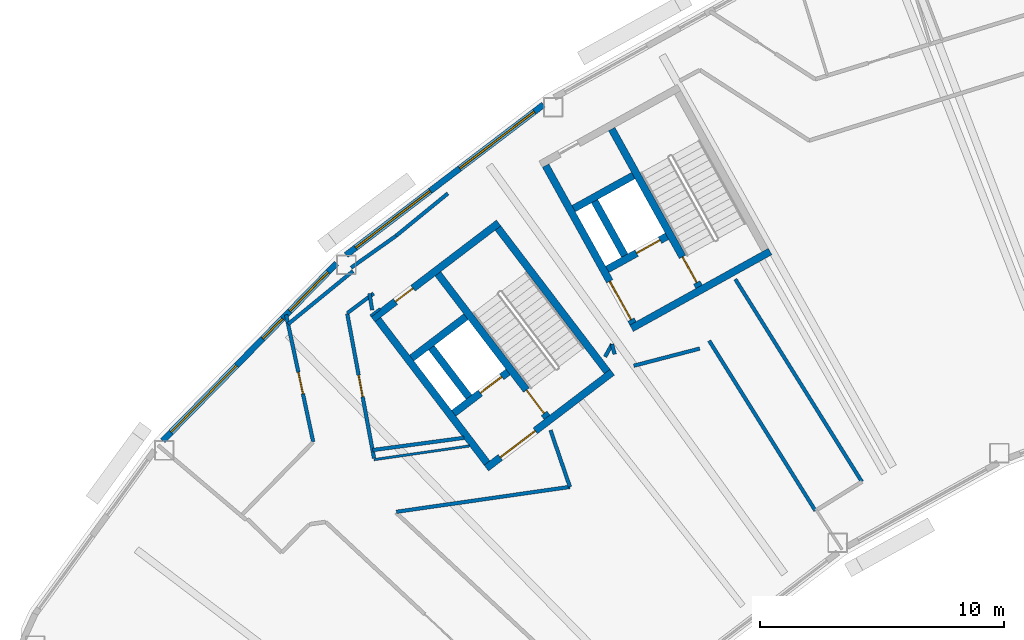
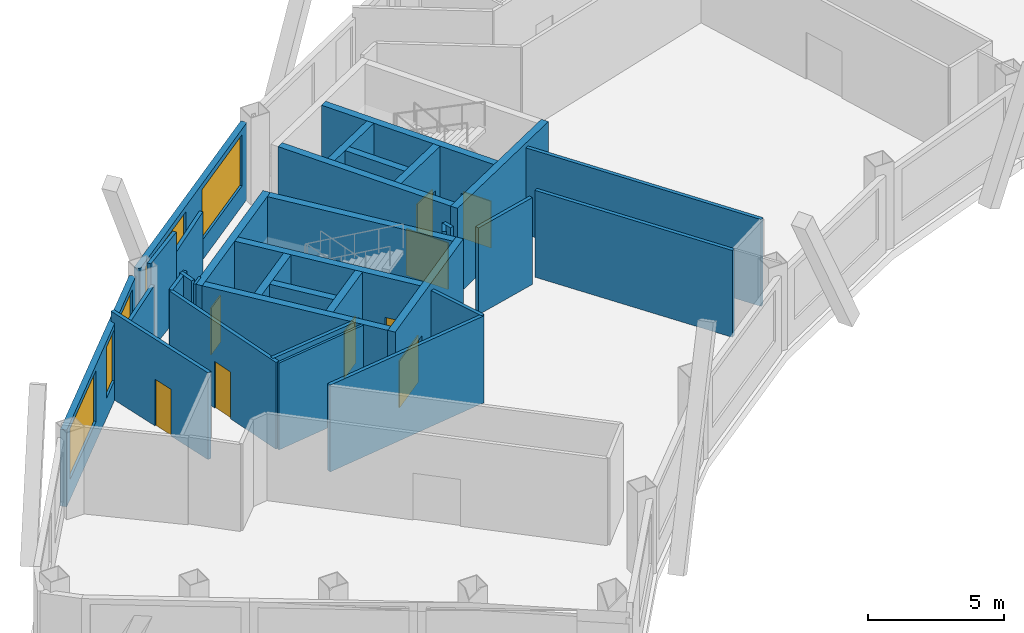
# One storey, part 5 of 13: 33 walls, 9 doors, 5 windows, 14 openings.
"""IFC4 building model written with IfcOpenShell, lengths in metres."""

from ifc_helpers import new_model, si_unit, direction, frame, frame_2d, origin, place, context, subcontext, project, spatial, rectangle, extrude, material, layer, layer_set, type_object, element, fill, save


model = new_model("IFC4")

# Units and contexts
model_context = context("Model", 3, precision=1e-05, world=origin(), true_north=direction((0.0, 1.0)))
body_context = subcontext(model_context, "Body", "Model", "MODEL_VIEW")
ifc_project = project(units=[si_unit("LENGTHUNIT", "METRE"), si_unit("AREAUNIT", "SQUARE_METRE"), si_unit("VOLUMEUNIT", "CUBIC_METRE"), si_unit("PLANEANGLEUNIT", "RADIAN"), si_unit("MASSUNIT", "GRAM", prefix="KILO")], contexts=[model_context])

# Site, building, storey
site_placement = place(None, origin())
site = spatial("IfcSite", under=ifc_project, at=site_placement, CompositionType="ELEMENT")
building_placement = place(site_placement, origin())
building = spatial("IfcBuilding", under=site, at=building_placement, Name="Tuul Gate Civic Tower", CompositionType="ELEMENT")
storey_placement = place(building_placement, frame((0.0, 0.0, 285.800048828125)))
storey = spatial("IfcBuildingStorey", under=building, at=storey_placement, Name="Level 64", CompositionType="ELEMENT", Elevation=285.800048828125)

# Wall, opening, door
ifc_material_1 = material(Name="Concrete C50/60", Category="concrete")
ifc_layer_1 = layer(ifc_material_1, 0.300048828125)
ifc_layer_set_1 = layer_set([ifc_layer_1], Name="Concrete C50/60")
wall_type_1 = type_object("IfcWallType", Name="Core wall C50/60", PredefinedType="SHEAR", material=ifc_layer_set_1)
wall_1_placement = place(storey_placement, frame((-31.19091796875, -13.669677734375, 0.0), z_axis=(0.0, 0.0, 1.0), x_axis=(-0.795606717756, -0.605813461934, 0.0)))
wall_1 = element("IfcWall", 1, at=wall_1_placement, inside=storey, type_object=wall_type_1, Name="Core wall", PredefinedType="SHEAR", context=body_context, shape_type="SweptSolid", body=[
    extrude(rectangle(XDim=6.5, YDim=0.300048828125, at=frame_2d((3.25, 0.0))), origin(), (0.0, 0.0, 1.0), 3.89990234375),
])
opening_1_placement = place(wall_1_placement, frame((3.97509765625, 0.0, 0.0)))
opening_1 = element("IfcOpeningElement", 2, at=opening_1_placement, cuts=wall_1, Name="Opening LB-W1-LOBBY-1", PredefinedType="OPENING", context=body_context, shape_type="SweptSolid", body=[
    extrude(rectangle(XDim=1.800048828125, YDim=2.10009765625, at=frame_2d((0.89990234375, 1.050048828125))), frame((0.0, 0.16015625, 0.0), z_axis=(0.0, -1.0, 0.0), x_axis=(1.0, 0.0, 0.0)), (0.0, 0.0, 1.0), 0.320068359375),
])
ifc_material_2 = material(Name="Steel", Category="steel")
door_type_1 = type_object("IfcDoorType", Name="Lobby door", OperationType="DOUBLE_DOOR_SINGLE_SWING", PredefinedType="DOOR", material=ifc_material_2)
door_1_placement = place(opening_1_placement, origin())
door_1 = element("IfcDoor", 3, at=door_1_placement, inside=storey, type_object=door_type_1, Name="Lobby door W1-LOBBY", OperationType="DOUBLE_DOOR_SINGLE_SWING", OverallHeight=2.10009765625, OverallWidth=1.800048828125, PredefinedType="DOOR", context=body_context, shape_type="SweptSolid", body=[
    extrude(rectangle(XDim=1.800048828125, YDim=2.10009765625, at=frame_2d((0.89990234375, 1.050048828125))), frame((0.0, 0.02490234375, 0.0), z_axis=(0.0, -1.0, 0.0), x_axis=(1.0, 0.0, 0.0)), (0.0, 0.0, 1.0), 0.050048828125),
])
fill(opening_1, door_1)

wall_2_placement = place(storey_placement, frame((-35.470947265625, -13.66064453125, 0.0), z_axis=(0.0, 0.0, 1.0), x_axis=(-0.795615822227, -0.605801504968, 0.0)))
wall_2 = element("IfcWall", 4, at=wall_2_placement, inside=storey, type_object=wall_type_1, Name="Core wall", PredefinedType="SHEAR", context=body_context, shape_type="SweptSolid", body=[
    extrude(rectangle(XDim=2.800048828125, YDim=0.300048828125, at=frame_2d((1.39990234375, 0.0))), origin(), (0.0, 0.0, 1.0), 3.89990234375),
])
opening_2_placement = place(wall_2_placement, frame((0.324951171875, 0.0, 0.0)))
opening_2 = element("IfcOpeningElement", 5, at=opening_2_placement, cuts=wall_2, Name="Opening LD-H1", PredefinedType="OPENING", context=body_context, shape_type="SweptSolid", body=[
    extrude(rectangle(XDim=1.10009765625, YDim=2.10009765625, at=frame_2d((0.550048828125, 1.050048828125))), frame((0.0, 0.16015625, 0.0), z_axis=(0.0, -1.0, 0.0), x_axis=(1.0, 0.0, 0.0)), (0.0, 0.0, 1.0), 0.320068359375),
])
ifc_material_3 = material(Name="Stainless steel", Category="steel")
door_type_2 = type_object("IfcDoorType", Name="Landing door", OperationType="DOUBLE_DOOR_SLIDING", PredefinedType="DOOR", material=ifc_material_3)
door_2_placement = place(opening_2_placement, origin())
door_2 = element("IfcDoor", 6, at=door_2_placement, inside=storey, type_object=door_type_2, Name="High-rise lift H1 landing door", OperationType="DOUBLE_DOOR_SLIDING", OverallHeight=2.10009765625, OverallWidth=1.10009765625, PredefinedType="DOOR", context=body_context, shape_type="SweptSolid", body=[
    extrude(rectangle(XDim=1.10009765625, YDim=2.10009765625, at=frame_2d((0.550048828125, 1.050048828125))), frame((0.0, 0.02490234375, 0.0), z_axis=(0.0, -1.0, 0.0), x_axis=(1.0, 0.0, 0.0)), (0.0, 0.0, 1.0), 0.050048828125),
])
fill(opening_2, door_2)

# Wall
wall_3_placement = place(storey_placement, frame((-37.197509765625, -11.39306640625, 0.0), z_axis=(0.0, 0.0, 1.0), x_axis=(-0.795583820278, -0.605843531707, 0.0)))
element("IfcWall", 7, at=wall_3_placement, inside=storey, type_object=wall_type_1, Name="Core wall", PredefinedType="SHEAR", context=body_context, shape_type="SweptSolid", body=[
    extrude(rectangle(XDim=2.7998046875, YDim=0.300048828125, at=frame_2d((1.39990234375, 0.0))), origin(), (0.0, 0.0, 1.0), 3.89990234375),
])

# Wall, opening, door
wall_4_placement = place(storey_placement, frame((-35.855224609375, -7.543212890625, 0.0), z_axis=(0.0, 0.0, 1.0), x_axis=(-0.79563860527, -0.605771582202, 0.0)))
wall_4 = element("IfcWall", 8, at=wall_4_placement, inside=storey, type_object=wall_type_1, Name="Core wall", PredefinedType="SHEAR", context=body_context, shape_type="SweptSolid", body=[
    extrude(rectangle(XDim=6.5, YDim=0.300048828125, at=frame_2d((3.25, 0.0))), origin(), (0.0, 0.0, 1.0), 3.89990234375),
])
opening_3_placement = place(wall_4_placement, frame((4.425048828125, 0.0, 0.0)))
opening_3 = element("IfcOpeningElement", 9, at=opening_3_placement, cuts=wall_4, Name="Opening X-D19", PredefinedType="OPENING", context=body_context, shape_type="SweptSolid", body=[
    extrude(rectangle(XDim=0.89990234375, YDim=2.10009765625, at=frame_2d((0.449951171875, 1.050048828125))), frame((0.0, 0.16015625, 0.0), z_axis=(0.0, -1.0, 0.0), x_axis=(1.0, 0.0, 0.0)), (0.0, 0.0, 1.0), 0.320068359375),
])
ifc_material_4 = material(Name="Timber door leaf", Category="wood")
door_type_3 = type_object("IfcDoorType", Name="Door D09", OperationType="NOTDEFINED", PredefinedType="DOOR", material=ifc_material_4)
door_3_placement = place(opening_3_placement, origin())
door_3 = element("IfcDoor", 10, at=door_3_placement, inside=storey, type_object=door_type_3, Name="Door X-D19", OperationType="SINGLE_SWING_LEFT", OverallHeight=2.10009765625, OverallWidth=0.89990234375, PredefinedType="DOOR", context=body_context, shape_type="SweptSolid", body=[
    extrude(rectangle(XDim=0.89990234375, YDim=2.10009765625, at=frame_2d((0.449951171875, 1.050048828125))), frame((0.0, 0.02490234375, 0.0), z_axis=(0.0, -1.0, 0.0), x_axis=(1.0, 0.0, 0.0)), (0.0, 0.0, 1.0), 0.050048828125),
])
fill(opening_3, door_3)

# Wall
wall_5_placement = place(storey_placement, frame((-31.401123046875, -13.64111328125, 0.0), z_axis=(0.0, 0.0, 1.0), x_axis=(-0.605769822278, 0.795639945213, 0.0)))
element("IfcWall", 11, at=wall_5_placement, inside=storey, type_object=wall_type_1, Name="Core wall", PredefinedType="SHEAR", context=body_context, shape_type="SweptSolid", body=[
    extrude(rectangle(XDim=7.39990234375, YDim=0.300048828125, at=frame_2d((3.699951171875, 0.0))), origin(), (0.0, 0.0, 1.0), 3.89990234375),
])

# Wall, opening, door
wall_6_placement = place(storey_placement, frame((-33.867431640625, -15.51904296875, 0.0), z_axis=(0.0, 0.0, 1.0), x_axis=(-0.605769822278, 0.795639945213, 0.0)))
wall_6 = element("IfcWall", 12, at=wall_6_placement, inside=storey, type_object=wall_type_1, Name="Core wall", PredefinedType="SHEAR", context=body_context, shape_type="SweptSolid", body=[
    extrude(rectangle(XDim=7.39990234375, YDim=0.300048828125, at=frame_2d((3.699951171875, 0.0))), origin(), (0.0, 0.0, 1.0), 3.89990234375),
])
opening_4_placement = place(wall_6_placement, frame((0.199951171875, 0.0, 0.0)))
opening_4 = element("IfcOpeningElement", 13, at=opening_4_placement, cuts=wall_6, Name="Opening SD-ST-1", PredefinedType="OPENING", context=body_context, shape_type="SweptSolid", body=[
    extrude(rectangle(XDim=1.199951171875, YDim=2.10009765625, at=frame_2d((0.60009765625, 1.050048828125))), frame((0.0, 0.16015625, 0.0), z_axis=(0.0, -1.0, 0.0), x_axis=(1.0, 0.0, 0.0)), (0.0, 0.0, 1.0), 0.320068359375),
])
ifc_material_5 = material(Name="Steel", Category="steel")
door_type_4 = type_object("IfcDoorType", Name="Stair door", OperationType="NOTDEFINED", PredefinedType="DOOR", material=ifc_material_5)
door_4_placement = place(opening_4_placement, origin())
door_4 = element("IfcDoor", 14, at=door_4_placement, inside=storey, type_object=door_type_4, Name="Stair door ST-1", OperationType="SINGLE_SWING_LEFT", OverallHeight=2.10009765625, OverallWidth=1.199951171875, PredefinedType="DOOR", context=body_context, shape_type="SweptSolid", body=[
    extrude(rectangle(XDim=1.199951171875, YDim=2.10009765625, at=frame_2d((0.60009765625, 1.050048828125))), frame((0.0, 0.02490234375, 0.0), z_axis=(0.0, -1.0, 0.0), x_axis=(1.0, 0.0, 0.0)), (0.0, 0.0, 1.0), 0.050048828125),
])
fill(opening_4, door_4)

# Walls
wall_7_placement = place(storey_placement, frame((-37.073486328125, -14.6923828125, 0.0), z_axis=(0.0, 0.0, 1.0), x_axis=(-0.605728760074, 0.79567120673, 0.0)))
element("IfcWall", 15, at=wall_7_placement, inside=storey, type_object=wall_type_1, Name="Core wall", PredefinedType="SHEAR", context=body_context, shape_type="SweptSolid", body=[
    extrude(rectangle(XDim=2.550048828125, YDim=0.300048828125, at=frame_2d((1.27490234375, 0.0))), origin(), (0.0, 0.0, 1.0), 3.89990234375),
])
wall_8_placement = place(storey_placement, frame((-36.333984375, -17.397216796875, 0.0), z_axis=(0.0, 0.0, 1.0), x_axis=(-0.605753921168, 0.795652051458, 0.0)))
element("IfcWall", 16, at=wall_8_placement, inside=storey, type_object=wall_type_1, Name="Core wall", PredefinedType="SHEAR", context=body_context, shape_type="SweptSolid", body=[
    extrude(rectangle(XDim=7.400146484375, YDim=0.300048828125, at=frame_2d((3.7001953125, 0.0))), origin(), (0.0, 0.0, 1.0), 3.89990234375),
])
wall_9_placement = place(storey_placement, frame((-24.711669921875, -8.7158203125, 0.0), z_axis=(0.0, 0.0, 1.0), x_axis=(-0.874629909008, -0.484791215132, 0.0)))
element("IfcWall", 17, at=wall_9_placement, inside=storey, type_object=wall_type_1, Name="Core wall", PredefinedType="SHEAR", context=body_context, shape_type="SweptSolid", body=[
    extrude(rectangle(XDim=6.5, YDim=0.300048828125, at=frame_2d((3.25, 0.0))), origin(), (0.0, 0.0, 1.0), 3.89990234375),
])

# Wall, opening, door
wall_10_placement = place(storey_placement, frame((-28.94580078125, -8.090087890625, 0.0), z_axis=(0.0, 0.0, 1.0), x_axis=(-0.874629840737, -0.484791338301, 0.0)))
wall_10 = element("IfcWall", 18, at=wall_10_placement, inside=storey, type_object=wall_type_1, Name="Core wall", PredefinedType="SHEAR", context=body_context, shape_type="SweptSolid", body=[
    extrude(rectangle(XDim=2.800048828125, YDim=0.300048828125, at=frame_2d((1.39990234375, 0.0))), origin(), (0.0, 0.0, 1.0), 3.89990234375),
])
opening_5_placement = place(wall_10_placement, frame((0.324951171875, 0.0, 0.0)))
opening_5 = element("IfcOpeningElement", 19, at=opening_5_placement, cuts=wall_10, Name="Opening LD-FF-1", PredefinedType="OPENING", context=body_context, shape_type="SweptSolid", body=[
    extrude(rectangle(XDim=1.10009765625, YDim=2.10009765625, at=frame_2d((0.550048828125, 1.050048828125))), frame((0.0, 0.16015625, 0.0), z_axis=(0.0, -1.0, 0.0), x_axis=(1.0, 0.0, 0.0)), (0.0, 0.0, 1.0), 0.320068359375),
])
door_5_placement = place(opening_5_placement, origin())
door_5 = element("IfcDoor", 20, at=door_5_placement, inside=storey, type_object=door_type_2, Name="Fire-fighting lift FF-1 landing door", OperationType="DOUBLE_DOOR_SLIDING", OverallHeight=2.10009765625, OverallWidth=1.10009765625, PredefinedType="DOOR", context=body_context, shape_type="SweptSolid", body=[
    extrude(rectangle(XDim=1.10009765625, YDim=2.10009765625, at=frame_2d((0.550048828125, 1.050048828125))), frame((0.0, 0.02490234375, 0.0), z_axis=(0.0, -1.0, 0.0), x_axis=(1.0, 0.0, 0.0)), (0.0, 0.0, 1.0), 0.050048828125),
])
fill(opening_5, door_5)

# Wall
wall_11_placement = place(storey_placement, frame((-30.327392578125, -5.59716796875, 0.0), z_axis=(0.0, 0.0, 1.0), x_axis=(-0.874629840737, -0.484791338301, 0.0)))
element("IfcWall", 21, at=wall_11_placement, inside=storey, type_object=wall_type_1, Name="Core wall", PredefinedType="SHEAR", context=body_context, shape_type="SweptSolid", body=[
    extrude(rectangle(XDim=2.800048828125, YDim=0.300048828125, at=frame_2d((1.39990234375, 0.0))), origin(), (0.0, 0.0, 1.0), 3.89990234375),
])

# Wall, opening, door
wall_12_placement = place(storey_placement, frame((-27.626953125, -10.16015625, 0.0), z_axis=(0.0, 0.0, 1.0), x_axis=(-0.484751894226, 0.874651702704, 0.0)))
wall_12 = element("IfcWall", 22, at=wall_12_placement, inside=storey, type_object=wall_type_1, Name="Core wall", PredefinedType="SHEAR", context=body_context, shape_type="SweptSolid", body=[
    extrude(rectangle(XDim=7.39990234375, YDim=0.300048828125, at=frame_2d((3.699951171875, 0.0))), origin(), (0.0, 0.0, 1.0), 3.89990234375),
])
opening_6_placement = place(wall_12_placement, frame((0.199951171875, 0.0, 0.0)))
opening_6 = element("IfcOpeningElement", 23, at=opening_6_placement, cuts=wall_12, Name="Opening SD-ST-2", PredefinedType="OPENING", context=body_context, shape_type="SweptSolid", body=[
    extrude(rectangle(XDim=1.199951171875, YDim=2.10009765625, at=frame_2d((0.60009765625, 1.050048828125))), frame((0.0, 0.16015625, 0.0), z_axis=(0.0, -1.0, 0.0), x_axis=(1.0, 0.0, 0.0)), (0.0, 0.0, 1.0), 0.320068359375),
])
door_6_placement = place(opening_6_placement, origin())
door_6 = element("IfcDoor", 24, at=door_6_placement, inside=storey, type_object=door_type_4, Name="Stair door ST-2", OperationType="SINGLE_SWING_LEFT", OverallHeight=2.10009765625, OverallWidth=1.199951171875, PredefinedType="DOOR", context=body_context, shape_type="SweptSolid", body=[
    extrude(rectangle(XDim=1.199951171875, YDim=2.10009765625, at=frame_2d((0.60009765625, 1.050048828125))), frame((0.0, 0.02490234375, 0.0), z_axis=(0.0, -1.0, 0.0), x_axis=(1.0, 0.0, 0.0)), (0.0, 0.0, 1.0), 0.050048828125),
])
fill(opening_6, door_6)

# Wall
wall_13_placement = place(storey_placement, frame((-30.680419921875, -8.8798828125, 0.0), z_axis=(0.0, 0.0, 1.0), x_axis=(-0.484724115216, 0.874667097888, 0.0)))
element("IfcWall", 25, at=wall_13_placement, inside=storey, type_object=wall_type_1, Name="Core wall", PredefinedType="SHEAR", context=body_context, shape_type="SweptSolid", body=[
    extrude(rectangle(XDim=2.550048828125, YDim=0.300048828125, at=frame_2d((1.27490234375, 0.0))), origin(), (0.0, 0.0, 1.0), 3.89990234375),
])

# Wall, opening, door
wall_14_placement = place(storey_placement, frame((-30.33837890625, -11.6630859375, 0.0), z_axis=(0.0, 0.0, 1.0), x_axis=(-0.484751894226, 0.874651702704, 0.0)))
wall_14 = element("IfcWall", 26, at=wall_14_placement, inside=storey, type_object=wall_type_1, Name="Core wall", PredefinedType="SHEAR", context=body_context, shape_type="SweptSolid", body=[
    extrude(rectangle(XDim=7.39990234375, YDim=0.300048828125, at=frame_2d((3.699951171875, 0.0))), origin(), (0.0, 0.0, 1.0), 3.89990234375),
])
opening_7_placement = place(wall_14_placement, frame((0.175048828125, 0.0, 0.0)))
opening_7 = element("IfcOpeningElement", 27, at=opening_7_placement, cuts=wall_14, Name="Opening LB-W2-FLOBBY-1", PredefinedType="OPENING", context=body_context, shape_type="SweptSolid", body=[
    extrude(rectangle(XDim=1.800048828125, YDim=2.10009765625, at=frame_2d((0.89990234375, 1.050048828125))), frame((0.0, 0.16015625, 0.0), z_axis=(0.0, -1.0, 0.0), x_axis=(1.0, 0.0, 0.0)), (0.0, 0.0, 1.0), 0.320068359375),
])
door_7_placement = place(opening_7_placement, frame((1.800048828125, 0.0, 0.0), z_axis=(0.0, 0.0, 1.0), x_axis=(-1.0, 0.0, 0.0)))
door_7 = element("IfcDoor", 28, at=door_7_placement, inside=storey, type_object=door_type_1, Name="Lobby door W2-FLOBBY", OperationType="DOUBLE_DOOR_SINGLE_SWING", OverallHeight=2.10009765625, OverallWidth=1.800048828125, PredefinedType="DOOR", context=body_context, shape_type="SweptSolid", body=[
    extrude(rectangle(XDim=1.800048828125, YDim=2.10009765625, at=frame_2d((0.900146484375, 1.050048828125))), frame((0.0, 0.02490234375, 0.0), z_axis=(0.0, -1.0, 0.0), x_axis=(1.0, 0.0, 0.0)), (0.0, 0.0, 1.0), 0.050048828125),
])
fill(opening_7, door_7)

# Walls
ifc_material_6 = material(Name="Gypsum board partition")
ifc_layer_2 = layer(ifc_material_6, 0.14990234375)
ifc_layer_set_2 = layer_set([ifc_layer_2], Name="Gypsum board partition")
wall_type_2 = type_object("IfcWallType", Name="Corridor wall P150", PredefinedType="PARTITIONING", material=ifc_layer_set_2)
wall_15_placement = place(storey_placement, frame((-41.910888671875, -9.379150390625, 0.0), z_axis=(0.0, 0.0, 1.0), x_axis=(0.815614578496, 0.578595592227, 0.0)))
element("IfcWall", 29, at=wall_15_placement, inside=storey, type_object=wall_type_2, Name="p037", PredefinedType="PARTITIONING", context=body_context, shape_type="SweptSolid", body=[
    extrude(rectangle(XDim=2.24853515625, YDim=0.14990234375, at=frame_2d((1.124267578125, 0.0))), origin(), (0.0, 0.0, 1.0), 3.89990234375),
])
wall_16_placement = place(storey_placement, frame((-41.1591796875, -10.440185546875, 0.0), z_axis=(0.0, 0.0, 1.0), x_axis=(0.161406906442, -0.986887942247, 0.0)))
element("IfcWall", 30, at=wall_16_placement, inside=storey, type_object=wall_type_2, Name="p038", PredefinedType="PARTITIONING", context=body_context, shape_type="SweptSolid", body=[
    extrude(rectangle(XDim=0.688232421875, YDim=0.14990234375, at=frame_2d((0.34423828125, 0.0))), origin(), (0.0, 0.0, 1.0), 3.89990234375),
])

# Wall, opening, door
wall_17_placement = place(storey_placement, frame((-44.58203125, -11.31005859375, 0.0), z_axis=(0.0, 0.0, 1.0), x_axis=(0.208441171987, -0.978034906238, 0.0)))
wall_17 = element("IfcWall", 31, at=wall_17_placement, inside=storey, type_object=wall_type_2, Name="p039", PredefinedType="PARTITIONING", context=body_context, shape_type="SweptSolid", body=[
    extrude(rectangle(XDim=5.333984375, YDim=0.14990234375, at=frame_2d((2.6669921875, 0.0))), origin(), (0.0, 0.0, 1.0), 3.89990234375),
])
opening_8_placement = place(wall_17_placement, frame((2.415283203125, 0.0, 0.0)))
opening_8 = element("IfcOpeningElement", 32, at=opening_8_placement, cuts=wall_17, Name="Opening X-D07", PredefinedType="OPENING", context=body_context, shape_type="SweptSolid", body=[
    extrude(rectangle(XDim=0.89990234375, YDim=2.10009765625, at=frame_2d((0.449951171875, 1.050048828125))), frame((0.0, 0.0849609375, 0.0), z_axis=(0.0, -1.0, 0.0), x_axis=(1.0, 0.0, 0.0)), (0.0, 0.0, 1.0), 0.169921875),
])
door_8_placement = place(opening_8_placement, frame((0.89990234375, 0.0, 0.0), z_axis=(0.0, 0.0, 1.0), x_axis=(-1.0, 0.0, 0.0)))
door_8 = element("IfcDoor", 33, at=door_8_placement, inside=storey, type_object=door_type_3, Name="Door X-D07", OperationType="SINGLE_SWING_LEFT", OverallHeight=2.10009765625, OverallWidth=0.89990234375, PredefinedType="DOOR", context=body_context, shape_type="SweptSolid", body=[
    extrude(rectangle(XDim=0.89990234375, YDim=2.10009765625, at=frame_2d((0.449951171875, 1.050048828125))), frame((0.0, 0.02490234375, 0.0), z_axis=(0.0, -1.0, 0.0), x_axis=(1.0, 0.0, 0.0)), (0.0, 0.0, 1.0), 0.050048828125),
])
fill(opening_8, door_8)

# Walls
wall_18_placement = place(storey_placement, frame((-41.027587890625, -16.866455078125, 0.0), z_axis=(0.0, 0.0, 1.0), x_axis=(0.991159074057, 0.132678897776, 0.0)))
element("IfcWall", 34, at=wall_18_placement, inside=storey, type_object=wall_type_2, Name="p072", PredefinedType="PARTITIONING", context=body_context, shape_type="SweptSolid", body=[
    extrude(rectangle(XDim=3.786865234375, YDim=0.14990234375, at=frame_2d((1.8935546875, 0.0))), origin(), (0.0, 0.0, 1.0), 3.89990234375),
])
wall_19_placement = place(storey_placement, frame((-26.139404296875, -9.85009765625, 0.0), z_axis=(0.0, 0.0, 1.0), x_axis=(0.529974324055, -0.848013688476, 0.0)))
element("IfcWall", 35, at=wall_19_placement, inside=storey, type_object=wall_type_2, Name="p076", PredefinedType="PARTITIONING", context=body_context, shape_type="SweptSolid", body=[
    extrude(rectangle(XDim=9.806640625, YDim=0.14990234375, at=frame_2d((4.9033203125, 0.0))), origin(), (0.0, 0.0, 1.0), 3.89990234375),
])
wall_20_placement = place(storey_placement, frame((-40.05517578125, -19.401611328125, 0.0), z_axis=(0.0, 0.0, 1.0), x_axis=(0.989848865638, 0.142123971218, 0.0)))
element("IfcWall", 36, at=wall_20_placement, inside=storey, type_object=wall_type_2, Name="p082", PredefinedType="PARTITIONING", context=body_context, shape_type="SweptSolid", body=[
    extrude(rectangle(XDim=7.19921875, YDim=0.14990234375, at=frame_2d((3.599609375, 0.0))), origin(), (0.0, 0.0, 1.0), 3.89990234375),
])
wall_21_placement = place(storey_placement, frame((-33.726806640625, -16.052490234375, 0.0), z_axis=(0.0, 0.0, 1.0), x_axis=(0.324466468546, -0.945897198848, 0.0)))
element("IfcWall", 37, at=wall_21_placement, inside=storey, type_object=wall_type_2, Name="p086", PredefinedType="PARTITIONING", context=body_context, shape_type="SweptSolid", body=[
    extrude(rectangle(XDim=2.458984375, YDim=0.14990234375, at=frame_2d((1.2294921875, 0.0))), origin(), (0.0, 0.0, 1.0), 3.89990234375),
])
wall_22_placement = place(storey_placement, frame((-31.484130859375, -13.036865234375, 0.0), z_axis=(0.0, 0.0, 1.0), x_axis=(0.480647952313, 0.876913647937, 0.0)))
element("IfcWall", 38, at=wall_22_placement, inside=storey, type_object=wall_type_2, Name="p087", PredefinedType="PARTITIONING", context=body_context, shape_type="SweptSolid", body=[
    extrude(rectangle(XDim=0.59033203125, YDim=0.14990234375, at=frame_2d((0.295166015625, 0.0))), origin(), (0.0, 0.0, 1.0), 3.89990234375),
])
wall_23_placement = place(storey_placement, frame((-31.200439453125, -12.519287109375, 0.0), z_axis=(0.0, 0.0, 1.0), x_axis=(0.251794291014, -0.967780778386, 0.0)))
element("IfcWall", 39, at=wall_23_placement, inside=storey, type_object=wall_type_2, Name="p088", PredefinedType="PARTITIONING", context=body_context, shape_type="SweptSolid", body=[
    extrude(rectangle(XDim=0.427490234375, YDim=0.14990234375, at=frame_2d((0.2138671875, 0.0))), origin(), (0.0, 0.0, 1.0), 3.89990234375),
])
wall_24_placement = place(storey_placement, frame((-30.30615234375, -13.404052734375, 0.0), z_axis=(0.0, 0.0, 1.0), x_axis=(0.967810153174, 0.251681360878, 0.0)))
element("IfcWall", 40, at=wall_24_placement, inside=storey, type_object=wall_type_2, Name="p089", PredefinedType="PARTITIONING", context=body_context, shape_type="SweptSolid", body=[
    extrude(rectangle(XDim=2.791748046875, YDim=0.14990234375, at=frame_2d((1.39599609375, 0.0))), origin(), (0.0, 0.0, 1.0), 3.89990234375),
])
wall_25_placement = place(storey_placement, frame((-27.21142578125, -12.37890625, 0.0), z_axis=(0.0, 0.0, 1.0), x_axis=(0.529910946181, -0.848053293796, 0.0)))
element("IfcWall", 41, at=wall_25_placement, inside=storey, type_object=wall_type_2, Name="p090", PredefinedType="PARTITIONING", context=body_context, shape_type="SweptSolid", body=[
    extrude(rectangle(XDim=8.230224609375, YDim=0.14990234375, at=frame_2d((4.115234375, 0.0))), origin(), (0.0, 0.0, 1.0), 3.89990234375),
])

# Wall, opening, door
wall_26_placement = place(storey_placement, frame((-42.072998046875, -11.2626953125, 0.0), z_axis=(0.0, 0.0, 1.0), x_axis=(0.182422016372, -0.983220325229, 0.0)))
wall_26 = element("IfcWall", 42, at=wall_26_placement, inside=storey, type_object=wall_type_2, Name="p096", PredefinedType="PARTITIONING", context=body_context, shape_type="SweptSolid", body=[
    extrude(rectangle(XDim=6.04248046875, YDim=0.14990234375, at=frame_2d((3.021240234375, 0.0))), origin(), (0.0, 0.0, 1.0), 3.89990234375),
])
opening_9_placement = place(wall_26_placement, frame((2.5712890625, 0.0, 0.0)))
opening_9 = element("IfcOpeningElement", 43, at=opening_9_placement, cuts=wall_26, Name="Opening X-D15", PredefinedType="OPENING", context=body_context, shape_type="SweptSolid", body=[
    extrude(rectangle(XDim=0.89990234375, YDim=2.10009765625, at=frame_2d((0.449951171875, 1.050048828125))), frame((0.0, 0.0849609375, 0.0), z_axis=(0.0, -1.0, 0.0), x_axis=(1.0, 0.0, 0.0)), (0.0, 0.0, 1.0), 0.169921875),
])
door_9_placement = place(opening_9_placement, origin())
door_9 = element("IfcDoor", 44, at=door_9_placement, inside=storey, type_object=door_type_3, Name="Door X-D15", OperationType="SINGLE_SWING_RIGHT", OverallHeight=2.10009765625, OverallWidth=0.89990234375, PredefinedType="DOOR", context=body_context, shape_type="SweptSolid", body=[
    extrude(rectangle(XDim=0.89990234375, YDim=2.10009765625, at=frame_2d((0.449951171875, 1.050048828125))), frame((0.0, 0.02490234375, 0.0), z_axis=(0.0, -1.0, 0.0), x_axis=(1.0, 0.0, 0.0)), (0.0, 0.0, 1.0), 0.050048828125),
])
fill(opening_9, door_9)

# Walls
wall_27_placement = place(storey_placement, frame((-42.06640625, -11.243408203125, 0.0), z_axis=(0.0, 0.0, 1.0), x_axis=(0.800391857902, 0.599477167041, 0.0)))
element("IfcWall", 45, at=wall_27_placement, inside=storey, type_object=wall_type_2, Name="p097", PredefinedType="PARTITIONING", context=body_context, shape_type="SweptSolid", body=[
    extrude(rectangle(XDim=1.34521484375, YDim=0.14990234375, at=frame_2d((0.672607421875, 0.0))), origin(), (0.0, 0.0, 1.0), 3.89990234375),
])
ifc_material_7 = material(Name="Gypsum board partition")
ifc_layer_3 = layer(ifc_material_7, 0.14990234375)
ifc_layer_set_3 = layer_set([ifc_layer_3], Name="Gypsum board partition")
wall_type_3 = type_object("IfcWallType", Name="Corridor wall P150 3000 HIGH", PredefinedType="PARTITIONING", material=ifc_layer_set_3)
wall_28_placement = place(storey_placement, frame((-44.498779296875, -11.69677734375, 0.0), z_axis=(0.0, 0.0, 1.0), x_axis=(0.773932002212, 0.633268707542, 0.0)))
element("IfcWall", 46, at=wall_28_placement, inside=storey, type_object=wall_type_3, Name="p035", PredefinedType="PARTITIONING", context=body_context, shape_type="SweptSolid", body=[
    extrude(rectangle(XDim=3.43994140625, YDim=0.14990234375, at=frame_2d((1.719970703125, 0.0))), origin(), (0.0, 0.0, 1.0), 3.0),
])
wall_29_placement = place(storey_placement, frame((-40.0732421875, -8.07568359375, 0.0), z_axis=(0.0, 0.0, 1.0), x_axis=(0.773953353757, 0.633242612439, 0.0)))
element("IfcWall", 47, at=wall_29_placement, inside=storey, type_object=wall_type_3, Name="p036", PredefinedType="PARTITIONING", context=body_context, shape_type="SweptSolid", body=[
    extrude(rectangle(XDim=2.757080078125, YDim=0.14990234375, at=frame_2d((1.37841796875, 0.0))), origin(), (0.0, 0.0, 1.0), 3.0),
])

# Wall, openings, windows
ifc_material_8 = material(Name="Precast concrete C40/50", Category="concrete")
ifc_layer_4 = layer(ifc_material_8, 0.25)
ifc_layer_set_4 = layer_set([ifc_layer_4], Name="Precast concrete C40/50")
wall_type_4 = type_object("IfcWallType", Name="External wall", PredefinedType="STANDARD", material=ifc_layer_set_4)
wall_30_placement = place(storey_placement, frame((-34.013916015625, -2.6865234375, 0.0), z_axis=(0.0, 0.0, 1.0), x_axis=(-0.795611005019, -0.605807831488, 0.0)))
wall_30 = element("IfcWall", 48, at=wall_30_placement, inside=storey, type_object=wall_type_4, Name="External wall", PredefinedType="STANDARD", context=body_context, shape_type="SweptSolid", body=[
    extrude(rectangle(XDim=10.188720703125, YDim=0.25, at=frame_2d((5.09423828125, 0.0))), origin(), (0.0, 0.0, 1.0), 3.449951171875),
])
opening_10_placement = place(wall_30_placement, frame((0.47314453125, 0.0, 0.89990234375)))
opening_10 = element("IfcOpeningElement", 49, at=opening_10_placement, cuts=wall_30, Name="Opening W22", PredefinedType="OPENING", context=body_context, shape_type="SweptSolid", body=[
    extrude(rectangle(XDim=3.85009765625, YDim=2.300048828125, at=frame_2d((1.925048828125, 1.14990234375))), frame((0.0, 0.135009765625, 0.0), z_axis=(0.0, -1.0, 0.0), x_axis=(1.0, 0.0, 0.0)), (0.0, 0.0, 1.0), 0.27001953125),
])
opening_11_placement = place(wall_30_placement, frame((5.844482421875, 0.0, 0.89990234375)))
opening_11 = element("IfcOpeningElement", 50, at=opening_11_placement, cuts=wall_30, Name="Opening W22", PredefinedType="OPENING", context=body_context, shape_type="SweptSolid", body=[
    extrude(rectangle(XDim=3.85009765625, YDim=2.300048828125, at=frame_2d((1.925048828125, 1.14990234375))), frame((0.0, 0.135009765625, 0.0), z_axis=(0.0, -1.0, 0.0), x_axis=(1.0, 0.0, 0.0)), (0.0, 0.0, 1.0), 0.27001953125),
])
ifc_material_9 = material(Name="Glass", Category="glass")
window_type_1 = type_object("IfcWindowType", Name="Window W22 3850 x 2300", PartitioningType="SINGLE_PANEL", PredefinedType="WINDOW", material=ifc_material_9)
window_1_placement = place(opening_10_placement, origin())
window_1 = element("IfcWindow", 51, at=window_1_placement, inside=storey, type_object=window_type_1, Name="Window", OverallHeight=2.300048828125, OverallWidth=3.85009765625, PartitioningType="SINGLE_PANEL", PredefinedType="WINDOW", context=body_context, shape_type="SweptSolid", body=[
    extrude(rectangle(XDim=3.85009765625, YDim=2.300048828125, at=frame_2d((1.925048828125, 1.14990234375))), frame((0.0, 0.030029296875, 0.0), z_axis=(0.0, -1.0, 0.0), x_axis=(1.0, 0.0, 0.0)), (0.0, 0.0, 1.0), 0.06005859375),
])
fill(opening_10, window_1)
window_2_placement = place(opening_11_placement, origin())
window_2 = element("IfcWindow", 52, at=window_2_placement, inside=storey, type_object=window_type_1, Name="Window", OverallHeight=2.300048828125, OverallWidth=3.85009765625, PartitioningType="SINGLE_PANEL", PredefinedType="WINDOW", context=body_context, shape_type="SweptSolid", body=[
    extrude(rectangle(XDim=3.85009765625, YDim=2.300048828125, at=frame_2d((1.925048828125, 1.14990234375))), frame((0.0, 0.030029296875, 0.0), z_axis=(0.0, -1.0, 0.0), x_axis=(1.0, 0.0, 0.0)), (0.0, 0.0, 1.0), 0.06005859375),
])
fill(opening_11, window_2)

wall_31_placement = place(storey_placement, frame((-42.509033203125, -9.20263671875, 0.0), z_axis=(0.0, 0.0, 1.0), x_axis=(-0.700044359254, -0.714099359387, 0.0)))
wall_31 = element("IfcWall", 53, at=wall_31_placement, inside=storey, type_object=wall_type_4, Name="External wall", PredefinedType="STANDARD", context=body_context, shape_type="SweptSolid", body=[
    extrude(rectangle(XDim=10.1962890625, YDim=0.25, at=frame_2d((5.09814453125, 0.0))), origin(), (0.0, 0.0, 1.0), 3.449951171875),
])
opening_12_placement = place(wall_31_placement, frame((5.85986328125, 0.0, 0.89990234375)))
opening_12 = element("IfcOpeningElement", 54, at=opening_12_placement, cuts=wall_31, Name="Opening W22", PredefinedType="OPENING", context=body_context, shape_type="SweptSolid", body=[
    extrude(rectangle(XDim=3.85009765625, YDim=2.300048828125, at=frame_2d((1.925048828125, 1.14990234375))), frame((0.0, 0.135009765625, 0.0), z_axis=(0.0, -1.0, 0.0), x_axis=(1.0, 0.0, 0.0)), (0.0, 0.0, 1.0), 0.27001953125),
])
opening_13_placement = place(wall_31_placement, frame((0.497314453125, 0.0, 0.89990234375)))
opening_13 = element("IfcOpeningElement", 55, at=opening_13_placement, cuts=wall_31, Name="Opening W42", PredefinedType="OPENING", context=body_context, shape_type="SweptSolid", body=[
    extrude(rectangle(XDim=2.25, YDim=2.300048828125, at=frame_2d((1.125, 1.14990234375))), frame((0.0, 0.135009765625, 0.0), z_axis=(0.0, -1.0, 0.0), x_axis=(1.0, 0.0, 0.0)), (0.0, 0.0, 1.0), 0.27001953125),
])
opening_14_placement = place(wall_31_placement, frame((3.17236328125, 0.0, 0.89990234375)))
opening_14 = element("IfcOpeningElement", 56, at=opening_14_placement, cuts=wall_31, Name="Opening W43", PredefinedType="OPENING", context=body_context, shape_type="SweptSolid", body=[
    extrude(rectangle(XDim=1.14990234375, YDim=2.300048828125, at=frame_2d((0.574951171875, 1.14990234375))), frame((0.0, 0.135009765625, 0.0), z_axis=(0.0, -1.0, 0.0), x_axis=(1.0, 0.0, 0.0)), (0.0, 0.0, 1.0), 0.27001953125),
])
ifc_material_10 = material(Name="Glass", Category="glass")
window_type_2 = type_object("IfcWindowType", Name="Window 1150 x 2300", PartitioningType="SINGLE_PANEL", PredefinedType="WINDOW", material=ifc_material_10)
window_3_placement = place(opening_14_placement, origin())
window_3 = element("IfcWindow", 57, at=window_3_placement, inside=storey, type_object=window_type_2, Name="Window", OverallHeight=2.300048828125, OverallWidth=1.14990234375, PartitioningType="SINGLE_PANEL", PredefinedType="WINDOW", context=body_context, shape_type="SweptSolid", body=[
    extrude(rectangle(XDim=1.14990234375, YDim=2.300048828125, at=frame_2d((0.574951171875, 1.14990234375))), frame((0.0, 0.030029296875, 0.0), z_axis=(0.0, -1.0, 0.0), x_axis=(1.0, 0.0, 0.0)), (0.0, 0.0, 1.0), 0.06005859375),
])
fill(opening_14, window_3)
ifc_material_11 = material(Name="Glass", Category="glass")
window_type_3 = type_object("IfcWindowType", Name="Window 2250 x 2300", PartitioningType="SINGLE_PANEL", PredefinedType="WINDOW", material=ifc_material_11)
window_4_placement = place(opening_13_placement, origin())
window_4 = element("IfcWindow", 58, at=window_4_placement, inside=storey, type_object=window_type_3, Name="Window", OverallHeight=2.300048828125, OverallWidth=2.25, PartitioningType="SINGLE_PANEL", PredefinedType="WINDOW", context=body_context, shape_type="SweptSolid", body=[
    extrude(rectangle(XDim=2.25, YDim=2.300048828125, at=frame_2d((1.125, 1.14990234375))), frame((0.0, 0.030029296875, 0.0), z_axis=(0.0, -1.0, 0.0), x_axis=(1.0, 0.0, 0.0)), (0.0, 0.0, 1.0), 0.06005859375),
])
fill(opening_13, window_4)
window_5_placement = place(opening_12_placement, origin())
window_5 = element("IfcWindow", 59, at=window_5_placement, inside=storey, type_object=window_type_1, Name="Window", OverallHeight=2.300048828125, OverallWidth=3.85009765625, PartitioningType="SINGLE_PANEL", PredefinedType="WINDOW", context=body_context, shape_type="SweptSolid", body=[
    extrude(rectangle(XDim=3.85009765625, YDim=2.300048828125, at=frame_2d((1.925048828125, 1.14990234375))), frame((0.0, 0.030029296875, 0.0), z_axis=(0.0, -1.0, 0.0), x_axis=(1.0, 0.0, 0.0)), (0.0, 0.0, 1.0), 0.06005859375),
])
fill(opening_12, window_5)

# Walls
ifc_material_12 = material(Name="Gypsum board partition")
ifc_layer_5 = layer(ifc_material_12, 0.10009765625)
ifc_layer_set_5 = layer_set([ifc_layer_5], Name="Gypsum board partition")
wall_type_5 = type_object("IfcWallType", Name="Partition P100", PredefinedType="PARTITIONING", material=ifc_layer_set_5)
wall_32_placement = place(storey_placement, frame((-37.054931640625, -16.69775390625, 0.0), z_axis=(0.0, 0.0, 1.0), x_axis=(-0.989851851896, -0.142103171314, 0.0)))
element("IfcWall", 60, at=wall_32_placement, inside=storey, type_object=wall_type_5, Name="p107", PredefinedType="PARTITIONING", context=body_context, shape_type="SweptSolid", body=[
    extrude(rectangle(XDim=3.960205078125, YDim=0.10009765625, at=frame_2d((1.97998046875, 0.0))), origin(), (0.0, 0.0, 1.0), 3.89990234375),
])
wall_33_placement = place(storey_placement, frame((-40.7158203125, -11.055419921875, 0.0), z_axis=(0.0, 0.0, 1.0), x_axis=(-0.795453906694, -0.606014094164, 0.0)))
element("IfcWall", 61, at=wall_33_placement, inside=storey, type_object=wall_type_5, Name="p108", PredefinedType="PARTITIONING", context=body_context, shape_type="SweptSolid", body=[
    extrude(rectangle(XDim=0.505126953125, YDim=0.10009765625, at=frame_2d((0.25244140625, 0.0))), origin(), (0.0, 0.0, 1.0), 3.89990234375),
])

save(model, "model.ifc")
